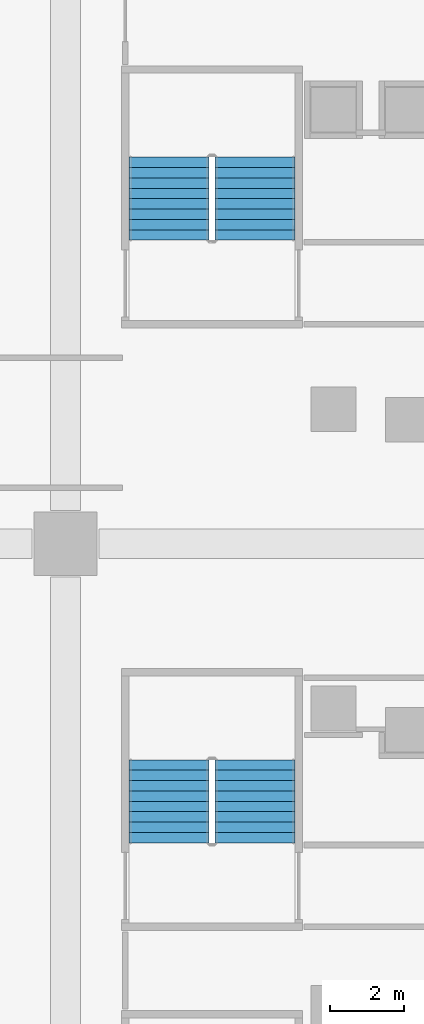
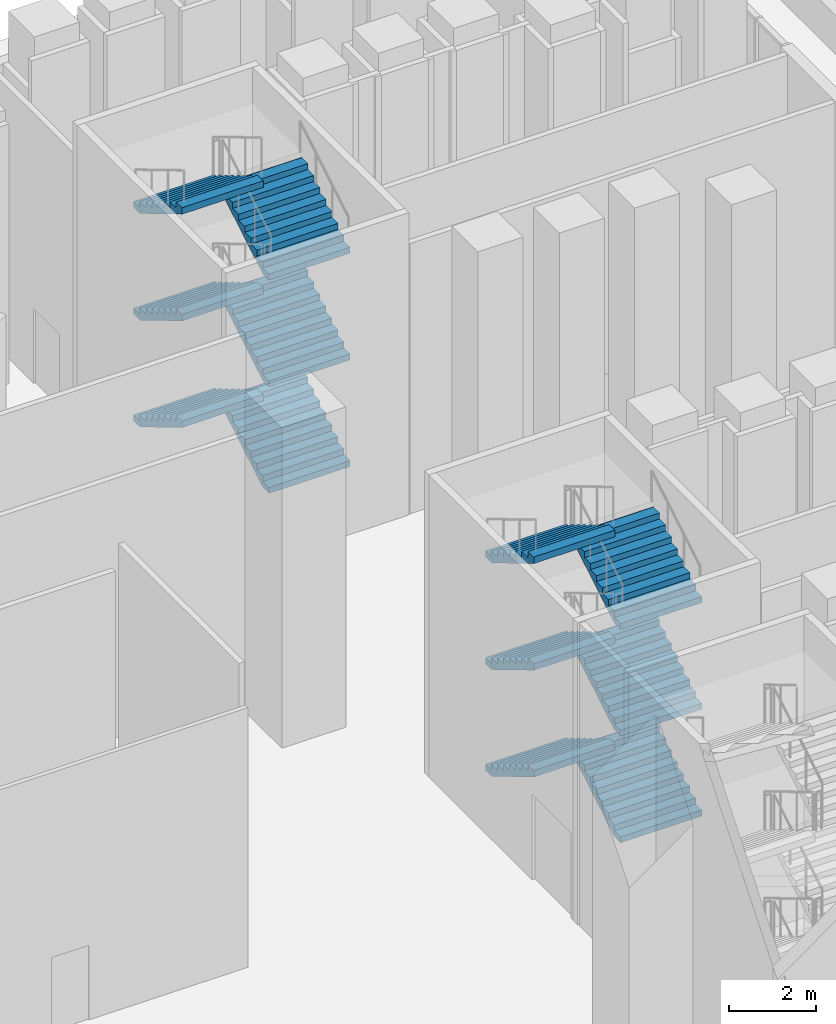
# One storey, part 34 of 51: 12 stair flights, 2 elements without a shape of their own.
"""IFC4 building model written with IfcOpenShell, lengths in metres."""

from ifc_helpers import new_model, si_unit, direction, frame, origin, place, context, subcontext, project, spatial, faceted_brep, source, transform, mapped, material, type_object, element, aggregate, save


model = new_model("IFC4")

# Units and contexts
model_context = context("Model", 3, precision=1e-05, world=origin(), true_north=direction((0.0, 1.0)))
body_context = subcontext(model_context, "Body", "Model", "MODEL_VIEW")
ifc_project = project(units=[si_unit("LENGTHUNIT", "METRE"), si_unit("AREAUNIT", "SQUARE_METRE"), si_unit("VOLUMEUNIT", "CUBIC_METRE"), si_unit("PLANEANGLEUNIT", "RADIAN"), si_unit("MASSUNIT", "GRAM", prefix="KILO")], contexts=[model_context])

# Site, building, storey
site_placement = place(None, origin())
site = spatial("IfcSite", under=ifc_project, at=site_placement, CompositionType="ELEMENT")
building_placement = place(site_placement, origin())
building = spatial("IfcBuilding", under=site, at=building_placement, Name="Calabash Gate Tower", CompositionType="ELEMENT")
storey_placement = place(building_placement, origin())
storey = spatial("IfcBuildingStorey", under=building, at=storey_placement, Name="L00", CompositionType="ELEMENT", Elevation=0.0)

# Stair, stair flights
ifc_material_1 = material(Name="Concrete C40/50", Category="concrete")
stair_type = type_object("IfcStairType", Name="Public stair 54 risers of 166.7 mm", PredefinedType="HALF_TURN_STAIR", material=ifc_material_1)
stair_1_placement = place(storey_placement, origin())
stair_1 = element("IfcStair", 1, at=stair_1_placement, inside=storey, type_object=stair_type, Name="L00 Public Stair PS9", PredefinedType="HALF_TURN_STAIR")
ifc_material_2 = material(Name="Concrete C40/50", Category="concrete")
stair_flight_type = type_object("IfcStairFlightType", Name="Exit stair flight SFL", PredefinedType="STRAIGHT", material=ifc_material_2)
shared_shape = source(origin(), body_context, "Body", "Brep", [
    faceted_brep([(-0.0009765625, -1.080078125, 0.0), (0.292236328125, -1.080078125, 0.0), (2.23291015625, -1.080078125, 1.15869140625), (-0.0009765625, 1.080078125, 0.0), (2.23291015625, 1.080078125, 1.15869140625), (0.292236328125, 1.080078125, 0.0), (2.23291015625, -1.080078125, 1.34521484375), (2.23193359375, -1.080078125, 1.34521484375), (2.23193359375, 1.080078125, 1.34521484375), (2.23291015625, 1.080078125, 1.34521484375), (2.23193359375, -1.080078125, 1.333251953125), (2.23193359375, 1.080078125, 1.333251953125), (1.952880859375, -1.080078125, 1.333251953125), (1.952880859375, 1.080078125, 1.333251953125), (1.952880859375, -1.080078125, 1.166748046875), (1.952880859375, 1.080078125, 1.166748046875), (1.674072265625, -1.080078125, 1.166748046875), (1.674072265625, 1.080078125, 1.166748046875), (1.674072265625, -1.080078125, 1.0), (1.674072265625, 1.080078125, 1.0), (1.39501953125, -1.080078125, 1.0), (1.39501953125, -1.080078125, 0.833251953125), (1.39501953125, 1.080078125, 0.833251953125), (1.39501953125, 1.080078125, 1.0), (1.115966796875, -1.080078125, 0.833251953125), (1.115966796875, -1.080078125, 0.666748046875), (1.115966796875, 1.080078125, 0.666748046875), (1.115966796875, 1.080078125, 0.833251953125), (0.8369140625, -1.080078125, 0.666748046875), (0.8369140625, -1.080078125, 0.5), (0.8369140625, 1.080078125, 0.5), (0.8369140625, 1.080078125, 0.666748046875), (0.55810546875, -1.080078125, 0.5), (0.55810546875, -1.080078125, 0.333251953125), (0.55810546875, 1.080078125, 0.333251953125), (0.55810546875, 1.080078125, 0.5), (0.279052734375, -1.080078125, 0.333251953125), (0.279052734375, -1.080078125, 0.166748046875), (0.279052734375, 1.080078125, 0.166748046875), (0.279052734375, 1.080078125, 0.333251953125), (-0.0009765625, -1.080078125, 0.166748046875), (-0.0009765625, 1.080078125, 0.166748046875), (0.292236328125, -0.431884765625, 0.0), (2.23291015625, -0.431884765625, 1.15869140625), (0.292236328125, -0.345703125, 0.0), (2.23291015625, -0.345703125, 1.15869140625), (0.292236328125, -0.25927734375, 0.0), (2.23291015625, -0.25927734375, 1.15869140625), (0.292236328125, -0.1728515625, 0.0), (2.23291015625, -0.1728515625, 1.15869140625), (0.292236328125, -0.08642578125, 0.0), (2.23291015625, -0.08642578125, 1.15869140625), (0.292236328125, 0.0, 0.0), (2.23291015625, 0.0, 1.15869140625), (0.292236328125, 0.08642578125, 0.0), (2.23291015625, 0.08642578125, 1.15869140625), (0.292236328125, 0.1728515625, 0.0), (2.23291015625, 0.1728515625, 1.15869140625), (0.292236328125, 0.25927734375, 0.0), (2.23291015625, 0.25927734375, 1.15869140625), (0.292236328125, 0.345703125, 0.0), (2.23291015625, 0.345703125, 1.15869140625), (0.292236328125, 0.431884765625, 0.0), (2.23291015625, 0.431884765625, 1.15869140625), (2.23291015625, -0.431884765625, 1.34521484375), (2.23291015625, -0.345703125, 1.34521484375), (2.23291015625, -0.25927734375, 1.34521484375), (2.23291015625, -0.1728515625, 1.34521484375), (2.23291015625, -0.08642578125, 1.34521484375), (2.23291015625, 0.0, 1.34521484375), (2.23291015625, 0.08642578125, 1.34521484375), (2.23291015625, 0.1728515625, 1.34521484375), (2.23291015625, 0.25927734375, 1.34521484375), (2.23291015625, 0.345703125, 1.34521484375), (2.23291015625, 0.431884765625, 1.34521484375), (2.23193359375, -0.431884765625, 1.34521484375), (2.23193359375, -0.345703125, 1.34521484375), (2.23193359375, -0.25927734375, 1.34521484375), (2.23193359375, -0.1728515625, 1.34521484375), (2.23193359375, -0.08642578125, 1.34521484375), (2.23193359375, 0.0, 1.34521484375), (2.23193359375, 0.08642578125, 1.34521484375), (2.23193359375, 0.1728515625, 1.34521484375), (2.23193359375, 0.25927734375, 1.34521484375), (2.23193359375, 0.345703125, 1.34521484375), (2.23193359375, 0.431884765625, 1.34521484375), (2.23193359375, -0.431884765625, 1.333251953125), (2.23193359375, -0.345703125, 1.333251953125), (2.23193359375, -0.25927734375, 1.333251953125), (2.23193359375, -0.1728515625, 1.333251953125), (2.23193359375, -0.08642578125, 1.333251953125), (2.23193359375, 0.0, 1.333251953125), (2.23193359375, 0.08642578125, 1.333251953125), (2.23193359375, 0.1728515625, 1.333251953125), (2.23193359375, 0.25927734375, 1.333251953125), (2.23193359375, 0.345703125, 1.333251953125), (2.23193359375, 0.431884765625, 1.333251953125), (1.952880859375, -0.431884765625, 1.333251953125), (1.952880859375, -0.345703125, 1.333251953125), (1.952880859375, -0.25927734375, 1.333251953125), (1.952880859375, -0.1728515625, 1.333251953125), (1.952880859375, -0.08642578125, 1.333251953125), (1.952880859375, 0.0, 1.333251953125), (1.952880859375, 0.08642578125, 1.333251953125), (1.952880859375, 0.1728515625, 1.333251953125), (1.952880859375, 0.25927734375, 1.333251953125), (1.952880859375, 0.345703125, 1.333251953125), (1.952880859375, 0.431884765625, 1.333251953125), (1.952880859375, -0.431884765625, 1.166748046875), (1.952880859375, -0.345703125, 1.166748046875), (1.952880859375, -0.25927734375, 1.166748046875), (1.952880859375, -0.1728515625, 1.166748046875), (1.952880859375, -0.08642578125, 1.166748046875), (1.952880859375, 0.0, 1.166748046875), (1.952880859375, 0.08642578125, 1.166748046875), (1.952880859375, 0.1728515625, 1.166748046875), (1.952880859375, 0.25927734375, 1.166748046875), (1.952880859375, 0.345703125, 1.166748046875), (1.952880859375, 0.431884765625, 1.166748046875), (1.674072265625, -0.431884765625, 1.166748046875), (1.674072265625, -0.345703125, 1.166748046875), (1.674072265625, -0.25927734375, 1.166748046875), (1.674072265625, -0.1728515625, 1.166748046875), (1.674072265625, -0.08642578125, 1.166748046875), (1.674072265625, 0.0, 1.166748046875), (1.674072265625, 0.08642578125, 1.166748046875), (1.674072265625, 0.1728515625, 1.166748046875), (1.674072265625, 0.25927734375, 1.166748046875), (1.674072265625, 0.345703125, 1.166748046875), (1.674072265625, 0.431884765625, 1.166748046875), (1.674072265625, -0.431884765625, 1.0), (1.674072265625, -0.345703125, 1.0), (1.674072265625, -0.25927734375, 1.0), (1.674072265625, -0.1728515625, 1.0), (1.674072265625, -0.08642578125, 1.0), (1.674072265625, 0.0, 1.0), (1.674072265625, 0.08642578125, 1.0), (1.674072265625, 0.1728515625, 1.0), (1.674072265625, 0.25927734375, 1.0), (1.674072265625, 0.345703125, 1.0), (1.674072265625, 0.431884765625, 1.0), (1.39501953125, -0.431884765625, 1.0), (1.39501953125, -0.345703125, 1.0), (1.39501953125, -0.25927734375, 1.0), (1.39501953125, -0.1728515625, 1.0), (1.39501953125, -0.08642578125, 1.0), (1.39501953125, 0.0, 1.0), (1.39501953125, 0.08642578125, 1.0), (1.39501953125, 0.1728515625, 1.0), (1.39501953125, 0.25927734375, 1.0), (1.39501953125, 0.345703125, 1.0), (1.39501953125, 0.431884765625, 1.0), (1.39501953125, -0.431884765625, 0.833251953125), (1.39501953125, -0.345703125, 0.833251953125), (1.39501953125, -0.25927734375, 0.833251953125), (1.39501953125, -0.1728515625, 0.833251953125), (1.39501953125, -0.08642578125, 0.833251953125), (1.39501953125, 0.0, 0.833251953125), (1.39501953125, 0.08642578125, 0.833251953125), (1.39501953125, 0.1728515625, 0.833251953125), (1.39501953125, 0.25927734375, 0.833251953125), (1.39501953125, 0.345703125, 0.833251953125), (1.39501953125, 0.431884765625, 0.833251953125), (1.115966796875, -0.431884765625, 0.833251953125), (1.115966796875, -0.345703125, 0.833251953125), (1.115966796875, -0.25927734375, 0.833251953125), (1.115966796875, -0.1728515625, 0.833251953125), (1.115966796875, -0.08642578125, 0.833251953125), (1.115966796875, 0.0, 0.833251953125), (1.115966796875, 0.08642578125, 0.833251953125), (1.115966796875, 0.1728515625, 0.833251953125), (1.115966796875, 0.25927734375, 0.833251953125), (1.115966796875, 0.345703125, 0.833251953125), (1.115966796875, 0.431884765625, 0.833251953125), (1.115966796875, -0.431884765625, 0.666748046875), (1.115966796875, -0.345703125, 0.666748046875), (1.115966796875, -0.25927734375, 0.666748046875), (1.115966796875, -0.1728515625, 0.666748046875), (1.115966796875, -0.08642578125, 0.666748046875), (1.115966796875, 0.0, 0.666748046875), (1.115966796875, 0.08642578125, 0.666748046875), (1.115966796875, 0.1728515625, 0.666748046875), (1.115966796875, 0.25927734375, 0.666748046875), (1.115966796875, 0.345703125, 0.666748046875), (1.115966796875, 0.431884765625, 0.666748046875), (0.8369140625, -0.431884765625, 0.666748046875), (0.8369140625, -0.345703125, 0.666748046875), (0.8369140625, -0.25927734375, 0.666748046875), (0.8369140625, -0.1728515625, 0.666748046875), (0.8369140625, -0.08642578125, 0.666748046875), (0.8369140625, 0.0, 0.666748046875), (0.8369140625, 0.08642578125, 0.666748046875), (0.8369140625, 0.1728515625, 0.666748046875), (0.8369140625, 0.25927734375, 0.666748046875), (0.8369140625, 0.345703125, 0.666748046875), (0.8369140625, 0.431884765625, 0.666748046875), (0.8369140625, -0.431884765625, 0.5), (0.8369140625, -0.345703125, 0.5), (0.8369140625, -0.25927734375, 0.5), (0.8369140625, -0.1728515625, 0.5), (0.8369140625, -0.08642578125, 0.5), (0.8369140625, 0.0, 0.5), (0.8369140625, 0.08642578125, 0.5), (0.8369140625, 0.1728515625, 0.5), (0.8369140625, 0.25927734375, 0.5), (0.8369140625, 0.345703125, 0.5), (0.8369140625, 0.431884765625, 0.5), (0.55810546875, -0.431884765625, 0.5), (0.55810546875, -0.345703125, 0.5), (0.55810546875, -0.25927734375, 0.5), (0.55810546875, -0.1728515625, 0.5), (0.55810546875, -0.08642578125, 0.5), (0.55810546875, 0.0, 0.5), (0.55810546875, 0.08642578125, 0.5), (0.55810546875, 0.1728515625, 0.5), (0.55810546875, 0.25927734375, 0.5), (0.55810546875, 0.345703125, 0.5), (0.55810546875, 0.431884765625, 0.5), (0.55810546875, -0.431884765625, 0.333251953125), (0.55810546875, -0.345703125, 0.333251953125), (0.55810546875, -0.25927734375, 0.333251953125), (0.55810546875, -0.1728515625, 0.333251953125), (0.55810546875, -0.08642578125, 0.333251953125), (0.55810546875, 0.0, 0.333251953125), (0.55810546875, 0.08642578125, 0.333251953125), (0.55810546875, 0.1728515625, 0.333251953125), (0.55810546875, 0.25927734375, 0.333251953125), (0.55810546875, 0.345703125, 0.333251953125), (0.55810546875, 0.431884765625, 0.333251953125), (0.279052734375, -0.431884765625, 0.333251953125), (0.279052734375, -0.345703125, 0.333251953125), (0.279052734375, -0.25927734375, 0.333251953125), (0.279052734375, -0.1728515625, 0.333251953125), (0.279052734375, -0.08642578125, 0.333251953125), (0.279052734375, 0.0, 0.333251953125), (0.279052734375, 0.08642578125, 0.333251953125), (0.279052734375, 0.1728515625, 0.333251953125), (0.279052734375, 0.25927734375, 0.333251953125), (0.279052734375, 0.345703125, 0.333251953125), (0.279052734375, 0.431884765625, 0.333251953125), (0.279052734375, -0.431884765625, 0.166748046875), (0.279052734375, -0.345703125, 0.166748046875), (0.279052734375, -0.25927734375, 0.166748046875), (0.279052734375, -0.1728515625, 0.166748046875), (0.279052734375, -0.08642578125, 0.166748046875), (0.279052734375, 0.0, 0.166748046875), (0.279052734375, 0.08642578125, 0.166748046875), (0.279052734375, 0.1728515625, 0.166748046875), (0.279052734375, 0.25927734375, 0.166748046875), (0.279052734375, 0.345703125, 0.166748046875), (0.279052734375, 0.431884765625, 0.166748046875), (-0.0009765625, -0.431884765625, 0.166748046875), (-0.0009765625, -0.345703125, 0.166748046875), (-0.0009765625, -0.25927734375, 0.166748046875), (-0.0009765625, -0.1728515625, 0.166748046875), (-0.0009765625, -0.08642578125, 0.166748046875), (-0.0009765625, 0.0, 0.166748046875), (-0.0009765625, 0.08642578125, 0.166748046875), (-0.0009765625, 0.1728515625, 0.166748046875), (-0.0009765625, 0.25927734375, 0.166748046875), (-0.0009765625, 0.345703125, 0.166748046875), (-0.0009765625, 0.431884765625, 0.166748046875), (-0.0009765625, -0.431884765625, 0.0), (-0.0009765625, -0.345703125, 0.0), (-0.0009765625, -0.25927734375, 0.0), (-0.0009765625, -0.1728515625, 0.0), (-0.0009765625, -0.08642578125, 0.0), (-0.0009765625, 0.0, 0.0), (-0.0009765625, 0.08642578125, 0.0), (-0.0009765625, 0.1728515625, 0.0), (-0.0009765625, 0.25927734375, 0.0), (-0.0009765625, 0.345703125, 0.0), (-0.0009765625, 0.431884765625, 0.0)], [[[0, 1, 2]], [[3, 4, 5]], [[2, 6, 7]], [[4, 8, 9]], [[2, 7, 10]], [[4, 11, 8]], [[2, 10, 12]], [[4, 13, 11]], [[2, 12, 14]], [[4, 15, 13]], [[2, 14, 16]], [[4, 17, 15]], [[2, 16, 18]], [[4, 19, 17]], [[18, 20, 21]], [[19, 22, 23]], [[2, 18, 21]], [[4, 22, 19]], [[21, 24, 25]], [[22, 26, 27]], [[2, 21, 25]], [[4, 26, 22]], [[25, 28, 29]], [[26, 30, 31]], [[2, 25, 29]], [[4, 30, 26]], [[29, 32, 33]], [[30, 34, 35]], [[2, 29, 33]], [[4, 34, 30]], [[33, 36, 37]], [[34, 38, 39]], [[2, 33, 37]], [[4, 38, 34]], [[0, 2, 37]], [[3, 38, 4]], [[37, 40, 0]], [[38, 3, 41]], [[1, 42, 2]], [[42, 43, 2]], [[42, 44, 43]], [[44, 45, 43]], [[44, 46, 45]], [[46, 47, 45]], [[46, 48, 47]], [[48, 49, 47]], [[48, 50, 49]], [[50, 51, 49]], [[50, 52, 51]], [[52, 53, 51]], [[52, 54, 55]], [[52, 55, 53]], [[54, 56, 57]], [[54, 57, 55]], [[56, 58, 59]], [[56, 59, 57]], [[58, 60, 61]], [[58, 61, 59]], [[60, 62, 63]], [[60, 63, 61]], [[62, 5, 4]], [[62, 4, 63]], [[2, 43, 6]], [[43, 64, 6]], [[43, 45, 64]], [[45, 65, 64]], [[45, 47, 65]], [[47, 66, 65]], [[47, 49, 66]], [[49, 67, 66]], [[49, 51, 67]], [[51, 68, 67]], [[51, 53, 68]], [[53, 69, 68]], [[53, 55, 70]], [[53, 70, 69]], [[55, 57, 71]], [[55, 71, 70]], [[57, 59, 72]], [[57, 72, 71]], [[59, 61, 73]], [[59, 73, 72]], [[61, 63, 74]], [[61, 74, 73]], [[63, 4, 9]], [[63, 9, 74]], [[6, 64, 7]], [[64, 75, 7]], [[64, 65, 75]], [[65, 76, 75]], [[65, 66, 76]], [[66, 77, 76]], [[66, 67, 77]], [[67, 78, 77]], [[67, 68, 78]], [[68, 79, 78]], [[68, 69, 79]], [[69, 80, 79]], [[69, 70, 81]], [[69, 81, 80]], [[70, 71, 82]], [[70, 82, 81]], [[71, 72, 83]], [[71, 83, 82]], [[72, 73, 84]], [[72, 84, 83]], [[73, 74, 85]], [[73, 85, 84]], [[74, 9, 8]], [[74, 8, 85]], [[7, 75, 10]], [[75, 86, 10]], [[75, 76, 86]], [[76, 87, 86]], [[76, 77, 87]], [[77, 88, 87]], [[77, 78, 88]], [[78, 89, 88]], [[78, 79, 89]], [[79, 90, 89]], [[79, 80, 90]], [[80, 91, 90]], [[80, 81, 92]], [[80, 92, 91]], [[81, 82, 93]], [[81, 93, 92]], [[82, 83, 94]], [[82, 94, 93]], [[83, 84, 95]], [[83, 95, 94]], [[84, 85, 96]], [[84, 96, 95]], [[85, 8, 11]], [[85, 11, 96]], [[10, 86, 12]], [[86, 97, 12]], [[86, 87, 97]], [[87, 98, 97]], [[87, 88, 98]], [[88, 99, 98]], [[88, 89, 99]], [[89, 100, 99]], [[89, 90, 100]], [[90, 101, 100]], [[90, 91, 101]], [[91, 102, 101]], [[91, 92, 103]], [[91, 103, 102]], [[92, 93, 104]], [[92, 104, 103]], [[93, 94, 105]], [[93, 105, 104]], [[94, 95, 106]], [[94, 106, 105]], [[95, 96, 107]], [[95, 107, 106]], [[96, 11, 13]], [[96, 13, 107]], [[12, 97, 14]], [[97, 108, 14]], [[97, 98, 108]], [[98, 109, 108]], [[98, 99, 109]], [[99, 110, 109]], [[99, 100, 110]], [[100, 111, 110]], [[100, 101, 111]], [[101, 112, 111]], [[101, 102, 112]], [[102, 113, 112]], [[102, 103, 114]], [[102, 114, 113]], [[103, 104, 115]], [[103, 115, 114]], [[104, 105, 116]], [[104, 116, 115]], [[105, 106, 117]], [[105, 117, 116]], [[106, 107, 118]], [[106, 118, 117]], [[107, 13, 15]], [[107, 15, 118]], [[14, 108, 16]], [[108, 119, 16]], [[108, 109, 119]], [[109, 120, 119]], [[109, 110, 120]], [[110, 121, 120]], [[110, 111, 121]], [[111, 122, 121]], [[111, 112, 122]], [[112, 123, 122]], [[112, 113, 123]], [[113, 124, 123]], [[113, 114, 125]], [[113, 125, 124]], [[114, 115, 126]], [[114, 126, 125]], [[115, 116, 127]], [[115, 127, 126]], [[116, 117, 128]], [[116, 128, 127]], [[117, 118, 129]], [[117, 129, 128]], [[118, 15, 17]], [[118, 17, 129]], [[16, 119, 18]], [[119, 130, 18]], [[119, 120, 130]], [[120, 131, 130]], [[120, 121, 131]], [[121, 132, 131]], [[121, 122, 132]], [[122, 133, 132]], [[122, 123, 133]], [[123, 134, 133]], [[123, 124, 134]], [[124, 135, 134]], [[124, 125, 136]], [[124, 136, 135]], [[125, 126, 137]], [[125, 137, 136]], [[126, 127, 138]], [[126, 138, 137]], [[127, 128, 139]], [[127, 139, 138]], [[128, 129, 140]], [[128, 140, 139]], [[129, 17, 19]], [[129, 19, 140]], [[18, 130, 20]], [[130, 141, 20]], [[130, 131, 141]], [[131, 142, 141]], [[131, 132, 142]], [[132, 143, 142]], [[132, 133, 143]], [[133, 144, 143]], [[133, 134, 144]], [[134, 145, 144]], [[134, 135, 145]], [[135, 146, 145]], [[135, 136, 147]], [[135, 147, 146]], [[136, 137, 148]], [[136, 148, 147]], [[137, 138, 149]], [[137, 149, 148]], [[138, 139, 150]], [[138, 150, 149]], [[139, 140, 151]], [[139, 151, 150]], [[140, 19, 23]], [[140, 23, 151]], [[20, 141, 21]], [[141, 152, 21]], [[141, 142, 152]], [[142, 153, 152]], [[142, 143, 153]], [[143, 154, 153]], [[143, 144, 154]], [[144, 155, 154]], [[144, 145, 155]], [[145, 156, 155]], [[145, 146, 156]], [[146, 157, 156]], [[146, 147, 158]], [[146, 158, 157]], [[147, 148, 159]], [[147, 159, 158]], [[148, 149, 160]], [[148, 160, 159]], [[149, 150, 161]], [[149, 161, 160]], [[150, 151, 162]], [[150, 162, 161]], [[151, 23, 22]], [[151, 22, 162]], [[21, 152, 24]], [[152, 163, 24]], [[152, 153, 163]], [[153, 164, 163]], [[153, 154, 164]], [[154, 165, 164]], [[154, 155, 165]], [[155, 166, 165]], [[155, 156, 166]], [[156, 167, 166]], [[156, 157, 167]], [[157, 168, 167]], [[157, 158, 169]], [[157, 169, 168]], [[158, 159, 170]], [[158, 170, 169]], [[159, 160, 171]], [[159, 171, 170]], [[160, 161, 172]], [[160, 172, 171]], [[161, 162, 173]], [[161, 173, 172]], [[162, 22, 27]], [[162, 27, 173]], [[24, 163, 25]], [[163, 174, 25]], [[163, 164, 174]], [[164, 175, 174]], [[164, 165, 175]], [[165, 176, 175]], [[165, 166, 176]], [[166, 177, 176]], [[166, 167, 177]], [[167, 178, 177]], [[167, 168, 178]], [[168, 179, 178]], [[168, 169, 180]], [[168, 180, 179]], [[169, 170, 181]], [[169, 181, 180]], [[170, 171, 182]], [[170, 182, 181]], [[171, 172, 183]], [[171, 183, 182]], [[172, 173, 184]], [[172, 184, 183]], [[173, 27, 26]], [[173, 26, 184]], [[25, 174, 28]], [[174, 185, 28]], [[174, 175, 185]], [[175, 186, 185]], [[175, 176, 186]], [[176, 187, 186]], [[176, 177, 187]], [[177, 188, 187]], [[177, 178, 188]], [[178, 189, 188]], [[178, 179, 189]], [[179, 190, 189]], [[179, 180, 191]], [[179, 191, 190]], [[180, 181, 192]], [[180, 192, 191]], [[181, 182, 193]], [[181, 193, 192]], [[182, 183, 194]], [[182, 194, 193]], [[183, 184, 195]], [[183, 195, 194]], [[184, 26, 31]], [[184, 31, 195]], [[28, 185, 29]], [[185, 196, 29]], [[185, 186, 196]], [[186, 197, 196]], [[186, 187, 197]], [[187, 198, 197]], [[187, 188, 198]], [[188, 199, 198]], [[188, 189, 199]], [[189, 200, 199]], [[189, 190, 200]], [[190, 201, 200]], [[190, 191, 202]], [[190, 202, 201]], [[191, 192, 203]], [[191, 203, 202]], [[192, 193, 204]], [[192, 204, 203]], [[193, 194, 205]], [[193, 205, 204]], [[194, 195, 206]], [[194, 206, 205]], [[195, 31, 30]], [[195, 30, 206]], [[29, 196, 32]], [[196, 207, 32]], [[196, 197, 207]], [[197, 208, 207]], [[197, 198, 208]], [[198, 209, 208]], [[198, 199, 209]], [[199, 210, 209]], [[199, 200, 210]], [[200, 211, 210]], [[200, 201, 211]], [[201, 212, 211]], [[201, 202, 213]], [[201, 213, 212]], [[202, 203, 214]], [[202, 214, 213]], [[203, 204, 215]], [[203, 215, 214]], [[204, 205, 216]], [[204, 216, 215]], [[205, 206, 217]], [[205, 217, 216]], [[206, 30, 35]], [[206, 35, 217]], [[32, 207, 33]], [[207, 218, 33]], [[207, 208, 218]], [[208, 219, 218]], [[208, 209, 219]], [[209, 220, 219]], [[209, 210, 220]], [[210, 221, 220]], [[210, 211, 221]], [[211, 222, 221]], [[211, 212, 222]], [[212, 223, 222]], [[212, 213, 224]], [[212, 224, 223]], [[213, 214, 225]], [[213, 225, 224]], [[214, 215, 226]], [[214, 226, 225]], [[215, 216, 227]], [[215, 227, 226]], [[216, 217, 228]], [[216, 228, 227]], [[217, 35, 34]], [[217, 34, 228]], [[33, 218, 36]], [[218, 229, 36]], [[218, 219, 229]], [[219, 230, 229]], [[219, 220, 230]], [[220, 231, 230]], [[220, 221, 231]], [[221, 232, 231]], [[221, 222, 232]], [[222, 233, 232]], [[222, 223, 233]], [[223, 234, 233]], [[223, 224, 235]], [[223, 235, 234]], [[224, 225, 236]], [[224, 236, 235]], [[225, 226, 237]], [[225, 237, 236]], [[226, 227, 238]], [[226, 238, 237]], [[227, 228, 239]], [[227, 239, 238]], [[228, 34, 39]], [[228, 39, 239]], [[36, 229, 37]], [[229, 240, 37]], [[229, 230, 240]], [[230, 241, 240]], [[230, 231, 241]], [[231, 242, 241]], [[231, 232, 242]], [[232, 243, 242]], [[232, 233, 243]], [[233, 244, 243]], [[233, 234, 244]], [[234, 245, 244]], [[234, 235, 246]], [[234, 246, 245]], [[235, 236, 247]], [[235, 247, 246]], [[236, 237, 248]], [[236, 248, 247]], [[237, 238, 249]], [[237, 249, 248]], [[238, 239, 250]], [[238, 250, 249]], [[239, 39, 38]], [[239, 38, 250]], [[37, 240, 40]], [[240, 251, 40]], [[240, 241, 251]], [[241, 252, 251]], [[241, 242, 252]], [[242, 253, 252]], [[242, 243, 253]], [[243, 254, 253]], [[243, 244, 254]], [[244, 255, 254]], [[244, 245, 255]], [[245, 256, 255]], [[245, 246, 257]], [[245, 257, 256]], [[246, 247, 258]], [[246, 258, 257]], [[247, 248, 259]], [[247, 259, 258]], [[248, 249, 260]], [[248, 260, 259]], [[249, 250, 261]], [[249, 261, 260]], [[250, 38, 41]], [[250, 41, 261]], [[40, 251, 0]], [[251, 262, 0]], [[251, 252, 262]], [[252, 263, 262]], [[252, 253, 263]], [[253, 264, 263]], [[253, 254, 264]], [[254, 265, 264]], [[254, 255, 265]], [[255, 266, 265]], [[255, 256, 266]], [[256, 267, 266]], [[256, 257, 268]], [[256, 268, 267]], [[257, 258, 269]], [[257, 269, 268]], [[258, 259, 270]], [[258, 270, 269]], [[259, 260, 271]], [[259, 271, 270]], [[260, 261, 272]], [[260, 272, 271]], [[261, 41, 3]], [[261, 3, 272]], [[0, 262, 1]], [[262, 42, 1]], [[262, 263, 42]], [[263, 44, 42]], [[263, 264, 44]], [[264, 46, 44]], [[264, 265, 46]], [[265, 48, 46]], [[265, 266, 48]], [[266, 50, 48]], [[266, 267, 50]], [[267, 52, 50]], [[267, 268, 54]], [[267, 54, 52]], [[268, 269, 56]], [[268, 56, 54]], [[269, 270, 58]], [[269, 58, 56]], [[270, 271, 60]], [[270, 60, 58]], [[271, 272, 62]], [[271, 62, 60]], [[272, 3, 5]], [[272, 5, 62]]]),
])
stair_flight_1_placement = place(storey_placement, frame((37.090087890625, -0.0400390625, 0.0), z_axis=(0.0, 0.0, 1.0), x_axis=(0.0, 1.0, 0.0)))
stair_flight_1 = element("IfcStairFlight", 2, at=stair_flight_1_placement, type_object=stair_flight_type, Name="PS9 flight 1", NumberOfRisers=9, NumberOfTreads=8, PredefinedType="STRAIGHT", RiserHeight=0.166666667, TreadLength=0.279, context=body_context, shape_type="MappedRepresentation", body=[
    mapped(shared_shape, transform((0.0, 0.0, 0.0), scale=1.0)),
])
stair_flight_2_placement = place(storey_placement, frame((34.780029296875, 2.19189453125, 1.5), z_axis=(0.0, 0.0, 1.0), x_axis=(0.0, -1.0, 0.0)))
stair_flight_2 = element("IfcStairFlight", 3, at=stair_flight_2_placement, type_object=stair_flight_type, Name="PS9 flight 2", NumberOfRisers=9, NumberOfTreads=8, PredefinedType="STRAIGHT", RiserHeight=0.166666667, TreadLength=0.279, context=body_context, shape_type="MappedRepresentation", body=[
    mapped(shared_shape, transform((0.0, 0.0, 0.0), scale=1.0)),
])
stair_flight_3_placement = place(storey_placement, frame((37.090087890625, -0.0400390625, 3.0), z_axis=(0.0, 0.0, 1.0), x_axis=(0.0, 1.0, 0.0)))
stair_flight_3 = element("IfcStairFlight", 4, at=stair_flight_3_placement, type_object=stair_flight_type, Name="PS9 flight 3", NumberOfRisers=9, NumberOfTreads=8, PredefinedType="STRAIGHT", RiserHeight=0.166666667, TreadLength=0.279, context=body_context, shape_type="MappedRepresentation", body=[
    mapped(shared_shape, transform((0.0, 0.0, 0.0), scale=1.0)),
])
stair_flight_4_placement = place(storey_placement, frame((34.780029296875, 2.19189453125, 4.5), z_axis=(0.0, 0.0, 1.0), x_axis=(0.0, -1.0, 0.0)))
stair_flight_4 = element("IfcStairFlight", 5, at=stair_flight_4_placement, type_object=stair_flight_type, Name="PS9 flight 4", NumberOfRisers=9, NumberOfTreads=8, PredefinedType="STRAIGHT", RiserHeight=0.166666667, TreadLength=0.279, context=body_context, shape_type="MappedRepresentation", body=[
    mapped(shared_shape, transform((0.0, 0.0, 0.0), scale=1.0)),
])
stair_flight_5_placement = place(storey_placement, frame((37.090087890625, -0.0400390625, 6.0), z_axis=(0.0, 0.0, 1.0), x_axis=(0.0, 1.0, 0.0)))
stair_flight_5 = element("IfcStairFlight", 6, at=stair_flight_5_placement, type_object=stair_flight_type, Name="PS9 flight 5", NumberOfRisers=9, NumberOfTreads=8, PredefinedType="STRAIGHT", RiserHeight=0.166666667, TreadLength=0.279, context=body_context, shape_type="MappedRepresentation", body=[
    mapped(shared_shape, transform((0.0, 0.0, 0.0), scale=1.0)),
])
stair_flight_6_placement = place(storey_placement, frame((34.780029296875, 2.19189453125, 7.5), z_axis=(0.0, 0.0, 1.0), x_axis=(0.0, -1.0, 0.0)))
stair_flight_6 = element("IfcStairFlight", 7, at=stair_flight_6_placement, type_object=stair_flight_type, Name="PS9 flight 6", NumberOfRisers=9, NumberOfTreads=8, PredefinedType="STRAIGHT", RiserHeight=0.166666667, TreadLength=0.279, context=body_context, shape_type="MappedRepresentation", body=[
    mapped(shared_shape, transform((0.0, 0.0, 0.0), scale=1.0)),
])
aggregate(stair_1, [stair_flight_1, stair_flight_2, stair_flight_3, stair_flight_4, stair_flight_5, stair_flight_6])

stair_2_placement = place(storey_placement, origin())
stair_2 = element("IfcStair", 8, at=stair_2_placement, inside=storey, type_object=stair_type, Name="L00 Public Stair PS10", PredefinedType="HALF_TURN_STAIR")
stair_flight_7_placement = place(storey_placement, frame((37.090087890625, 16.159912109375, 0.0), z_axis=(0.0, 0.0, 1.0), x_axis=(0.0, 1.0, 0.0)))
stair_flight_7 = element("IfcStairFlight", 9, at=stair_flight_7_placement, type_object=stair_flight_type, Name="PS10 flight 1", NumberOfRisers=9, NumberOfTreads=8, PredefinedType="STRAIGHT", RiserHeight=0.166666667, TreadLength=0.279, context=body_context, shape_type="MappedRepresentation", body=[
    mapped(shared_shape, transform((0.0, 0.0, 0.0), scale=1.0)),
])
stair_flight_8_placement = place(storey_placement, frame((34.780029296875, 18.39208984375, 1.5), z_axis=(0.0, 0.0, 1.0), x_axis=(0.0, -1.0, 0.0)))
stair_flight_8 = element("IfcStairFlight", 10, at=stair_flight_8_placement, type_object=stair_flight_type, Name="PS10 flight 2", NumberOfRisers=9, NumberOfTreads=8, PredefinedType="STRAIGHT", RiserHeight=0.166666667, TreadLength=0.279, context=body_context, shape_type="MappedRepresentation", body=[
    mapped(shared_shape, transform((0.0, 0.0, 0.0), scale=1.0)),
])
stair_flight_9_placement = place(storey_placement, frame((37.090087890625, 16.159912109375, 3.0), z_axis=(0.0, 0.0, 1.0), x_axis=(0.0, 1.0, 0.0)))
stair_flight_9 = element("IfcStairFlight", 11, at=stair_flight_9_placement, type_object=stair_flight_type, Name="PS10 flight 3", NumberOfRisers=9, NumberOfTreads=8, PredefinedType="STRAIGHT", RiserHeight=0.166666667, TreadLength=0.279, context=body_context, shape_type="MappedRepresentation", body=[
    mapped(shared_shape, transform((0.0, 0.0, 0.0), scale=1.0)),
])
stair_flight_10_placement = place(storey_placement, frame((34.780029296875, 18.39208984375, 4.5), z_axis=(0.0, 0.0, 1.0), x_axis=(0.0, -1.0, 0.0)))
stair_flight_10 = element("IfcStairFlight", 12, at=stair_flight_10_placement, type_object=stair_flight_type, Name="PS10 flight 4", NumberOfRisers=9, NumberOfTreads=8, PredefinedType="STRAIGHT", RiserHeight=0.166666667, TreadLength=0.279, context=body_context, shape_type="MappedRepresentation", body=[
    mapped(shared_shape, transform((0.0, 0.0, 0.0), scale=1.0)),
])
stair_flight_11_placement = place(storey_placement, frame((37.090087890625, 16.159912109375, 6.0), z_axis=(0.0, 0.0, 1.0), x_axis=(0.0, 1.0, 0.0)))
stair_flight_11 = element("IfcStairFlight", 13, at=stair_flight_11_placement, type_object=stair_flight_type, Name="PS10 flight 5", NumberOfRisers=9, NumberOfTreads=8, PredefinedType="STRAIGHT", RiserHeight=0.166666667, TreadLength=0.279, context=body_context, shape_type="MappedRepresentation", body=[
    mapped(shared_shape, transform((0.0, 0.0, 0.0), scale=1.0)),
])
stair_flight_12_placement = place(storey_placement, frame((34.780029296875, 18.39208984375, 7.5), z_axis=(0.0, 0.0, 1.0), x_axis=(0.0, -1.0, 0.0)))
stair_flight_12 = element("IfcStairFlight", 14, at=stair_flight_12_placement, type_object=stair_flight_type, Name="PS10 flight 6", NumberOfRisers=9, NumberOfTreads=8, PredefinedType="STRAIGHT", RiserHeight=0.166666667, TreadLength=0.279, context=body_context, shape_type="MappedRepresentation", body=[
    mapped(shared_shape, transform((0.0, 0.0, 0.0), scale=1.0)),
])
aggregate(stair_2, [stair_flight_7, stair_flight_8, stair_flight_9, stair_flight_10, stair_flight_11, stair_flight_12])

save(model, "model.ifc")
